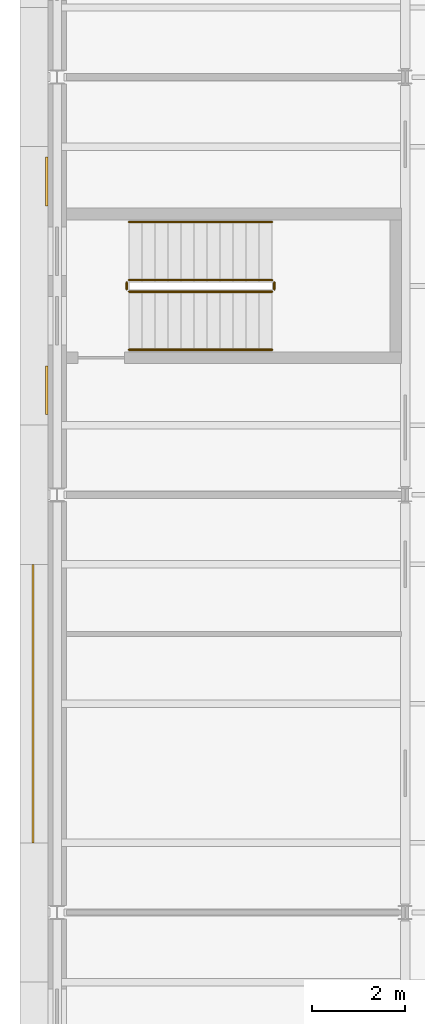
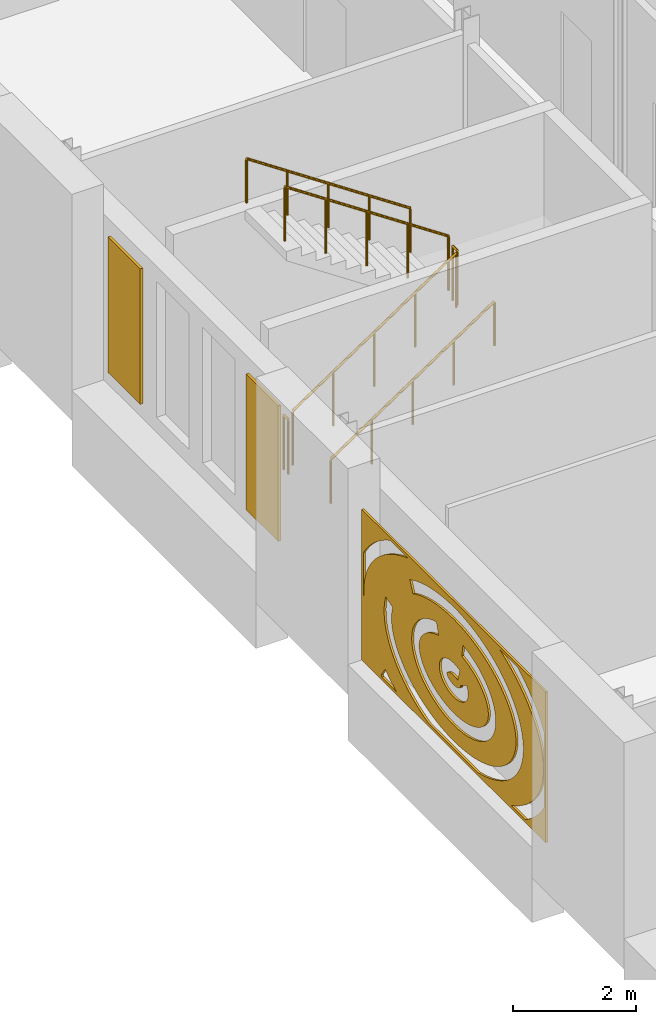
# One storey, part 110 of 131: 6 railings, 3 coverings.
"""IFC4 building model written with IfcOpenShell, lengths in metres."""

from ifc_helpers import new_model, si_unit, direction, frame, origin, origin_2d, place, context, subcontext, project, spatial, polyline, circle, outline, extrude, material, layer, layer_set, type_object, element, save


model = new_model("IFC4")

# Units and contexts
model_context = context("Model", 3, precision=1e-05, world=origin(), true_north=direction((0.0, 1.0)))
body_context = subcontext(model_context, "Body", "Model", "MODEL_VIEW")
ifc_project = project(units=[si_unit("LENGTHUNIT", "METRE"), si_unit("AREAUNIT", "SQUARE_METRE"), si_unit("VOLUMEUNIT", "CUBIC_METRE"), si_unit("PLANEANGLEUNIT", "RADIAN"), si_unit("MASSUNIT", "GRAM", prefix="KILO")], contexts=[model_context])

# Site, building, storey
site_placement = place(None, origin())
site = spatial("IfcSite", under=ifc_project, at=site_placement, CompositionType="ELEMENT")
building_placement = place(site_placement, origin())
building = spatial("IfcBuilding", under=site, at=building_placement, Name="Golden Quay Civic Hall", CompositionType="ELEMENT")
storey_placement = place(building_placement, frame((0.0, 0.0, 9.89990234375)))
storey = spatial("IfcBuildingStorey", under=building, at=storey_placement, Name="L02", CompositionType="ELEMENT", Elevation=9.89990234375)

# Covering
ifc_material_1 = material(Name="Aluminium, golden anodised, perforated", Category="aluminium")
ifc_layer_1 = layer(ifc_material_1, 0.0400390625)
ifc_layer_set_1 = layer_set([ifc_layer_1], Name="Perforated screen panel 6000 x 3000 x 40")
covering_type_1 = type_object("IfcCoveringType", Name="Perforated screen panel 6000 x 3000 x 40", PredefinedType="CLADDING", material=ifc_layer_set_1)
covering_1_placement = place(storey_placement, frame((-0.5, 22.5, 2.10009765625), z_axis=(-1.0, 0.0, 0.0), x_axis=(0.0, -1.0, 0.0)))
element("IfcCovering", 1, at=covering_1_placement, inside=storey, type_object=covering_type_1, Name="Perforated screen panel 6000 x 3000 x 40 L02 1", PredefinedType="CLADDING", context=body_context, shape_type="SweptSolid", body=[
    extrude(outline(polyline([(-3.0, -1.5), (3.0, -1.5), (3.0, 1.5), (-3.0, 1.5), (-3.0, -1.5)]), holes=[polyline([(0.0810546875, 0.0087890625), (0.03125, 0.015380859375), (-0.02001953125, 0.01611328125), (-0.070556640625, 0.0107421875), (-0.1171875, 0.0), (-0.157470703125, -0.014892578125), (-0.201904296875, -0.04150390625), (-0.223876953125, -0.065185546875), (-0.228515625, -0.07470703125), (-0.228271484375, -0.085205078125), (-0.211181640625, -0.10986328125), (-0.17431640625, -0.13671875), (-0.1376953125, -0.1533203125), (-0.093994140625, -0.166259765625), (-0.044921875, -0.17431640625), (0.006103515625, -0.176513671875), (0.05712890625, -0.1728515625), (0.10498046875, -0.16357421875), (0.1474609375, -0.1494140625), (0.1953125, -0.123291015625), (0.215087890625, -0.10595703125), (0.227783203125, -0.087158203125), (0.227783203125, -0.072998046875), (0.2177734375, -0.055908203125), (0.421630859375, 0.072509765625), (0.449951171875, 0.020263671875), (0.4619140625, -0.015380859375), (0.46875, -0.052978515625), (0.469970703125, -0.09130859375), (0.46533203125, -0.12939453125), (0.455322265625, -0.16650390625), (0.440185546875, -0.20166015625), (0.412109375, -0.24560546875), (0.370849609375, -0.29052734375), (0.3330078125, -0.321044921875), (0.277587890625, -0.3544921875), (0.206787109375, -0.38427734375), (0.162109375, -0.397705078125), (0.085205078125, -0.412109375), (0.006103515625, -0.41748046875), (-0.0732421875, -0.41357421875), (-0.151123046875, -0.400146484375), (-0.2177734375, -0.380615234375), (-0.28662109375, -0.349853515625), (-0.326904296875, -0.3251953125), (-0.3759765625, -0.285888671875), (-0.40966796875, -0.248779296875), (-0.441650390625, -0.198486328125), (-0.461181640625, -0.147705078125), (-0.47021484375, -0.089599609375), (-0.466064453125, -0.033447265625), (-0.448974609375, 0.02294921875), (-0.431640625, 0.056884765625), (-0.41015625, 0.088134765625), (-0.37646484375, 0.125244140625), (-0.319091796875, 0.17041015625), (-0.253662109375, 0.2060546875), (-0.18212890625, 0.232177734375), (-0.144775390625, 0.24169921875), (-0.07421875, 0.25341796875), (0.01220703125, 0.25732421875), (0.084228515625, 0.252197265625), (0.123046875, 0.24609375), (0.1982421875, 0.227294921875), (0.13037109375, -0.00390625), (0.0810546875, 0.0087890625)]), polyline([(-0.6474609375, 0.453369140625), (-0.7177734375, 0.421875), (-0.783447265625, 0.387451171875), (-0.84423828125, 0.350341796875), (-0.8994140625, 0.31103515625), (-0.948974609375, 0.27001953125), (-0.992431640625, 0.227294921875), (-1.02978515625, 0.18359375), (-1.061279296875, 0.139404296875), (-1.08642578125, 0.0947265625), (-1.105712890625, 0.050048828125), (-1.119140625, 0.005615234375), (-1.126953125, -0.03857421875), (-1.12939453125, -0.082763671875), (-1.126220703125, -0.126953125), (-1.117919921875, -0.171142578125), (-1.103515625, -0.215576171875), (-1.083740234375, -0.26025390625), (-1.0576171875, -0.3046875), (-1.025634765625, -0.34912109375), (-0.9873046875, -0.392578125), (-0.943115234375, -0.43505859375), (-0.892822265625, -0.47607421875), (-0.8369140625, -0.51513671875), (-0.775634765625, -0.5517578125), (-0.709228515625, -0.5859375), (-0.638427734375, -0.6171875), (-0.5634765625, -0.64501953125), (-0.48486328125, -0.66943359375), (-0.403076171875, -0.690185546875), (-0.318603515625, -0.707275390625), (-0.232177734375, -0.72021484375), (-0.144287109375, -0.72900390625), (-0.055419921875, -0.733642578125), (0.03369140625, -0.734130859375), (0.122802734375, -0.73046875), (0.2109375, -0.72265625), (0.2978515625, -0.710693359375), (0.3828125, -0.694580078125), (0.46533203125, -0.6748046875), (0.544677734375, -0.6513671875), (0.62060546875, -0.624267578125), (0.692626953125, -0.59375), (0.760009765625, -0.560302734375), (0.822509765625, -0.524169921875), (0.8798828125, -0.485595703125), (0.931396484375, -0.4453125), (0.977294921875, -0.403076171875), (1.016845703125, -0.359619140625), (1.050537109375, -0.315673828125), (1.077880859375, -0.27099609375), (1.099365234375, -0.226318359375), (1.114990234375, -0.181884765625), (1.124755859375, -0.1376953125), (1.129150390625, -0.093505859375), (1.1279296875, -0.04931640625), (1.12158203125, -0.005126953125), (1.109619140625, 0.039306640625), (1.091796875, 0.083984375), (1.06787109375, 0.12841796875), (1.0380859375, 0.1728515625), (1.002197265625, 0.216796875), (0.9599609375, 0.259765625), (0.911865234375, 0.30126953125), (0.858154296875, 0.341064453125), (0.798583984375, 0.378662109375), (0.734130859375, 0.413818359375), (0.6650390625, 0.446044921875), (0.59130859375, 0.47509765625), (0.513916015625, 0.5009765625), (0.433349609375, 0.523193359375), (0.349853515625, 0.54150390625), (0.26123046875, 0.556396484375), (0.30126953125, 0.7939453125), (0.392822265625, 0.778564453125), (0.488037109375, 0.7578125), (0.587158203125, 0.73046875), (0.670654296875, 0.70263671875), (0.757080078125, 0.668701171875), (0.83935546875, 0.630615234375), (0.92431640625, 0.584228515625), (0.997802734375, 0.537353515625), (1.05859375, 0.4921875), (1.121337890625, 0.438720703125), (1.177734375, 0.381591796875), (1.23486328125, 0.31201171875), (1.277587890625, 0.2470703125), (1.307373046875, 0.19140625), (1.335693359375, 0.122314453125), (1.35595703125, 0.051025390625), (1.36865234375, -0.0361328125), (1.369384765625, -0.109619140625), (1.361328125, -0.182861328125), (1.344482421875, -0.254638671875), (1.32470703125, -0.31201171875), (1.286376953125, -0.39208984375), (1.245849609375, -0.456787109375), (1.205322265625, -0.510009765625), (1.14404296875, -0.576904296875), (1.083984375, -0.6318359375), (1.025146484375, -0.677978515625), (0.946533203125, -0.730712890625), (0.870361328125, -0.7744140625), (0.79638671875, -0.811279296875), (0.704833984375, -0.849853515625), (0.616455078125, -0.88134765625), (0.524658203125, -0.908203125), (0.430419921875, -0.930908203125), (0.339599609375, -0.947998046875), (0.2353515625, -0.96240234375), (0.135498046875, -0.97119140625), (0.035400390625, -0.97509765625), (-0.0595703125, -0.974609375), (-0.159912109375, -0.969482421875), (-0.264892578125, -0.958740234375), (-0.357421875, -0.945068359375), (-0.453369140625, -0.92578125), (-0.55322265625, -0.900390625), (-0.63818359375, -0.8740234375), (-0.725830078125, -0.841796875), (-0.809814453125, -0.804931640625), (-0.889404296875, -0.764404296875), (-0.96435546875, -0.719482421875), (-1.034423828125, -0.6708984375), (-1.09912109375, -0.618896484375), (-1.15771484375, -0.56298828125), (-1.21728515625, -0.4951171875), (-1.2626953125, -0.431396484375), (-1.30078125, -0.364501953125), (-1.326416015625, -0.307861328125), (-1.349609375, -0.2373046875), (-1.3662109375, -0.150634765625), (-1.3701171875, -0.091796875), (-1.3671875, -0.018310546875), (-1.351806640625, 0.068603515625), (-1.32958984375, 0.13916015625), (-1.29931640625, 0.20751953125), (-1.261474609375, 0.2734375), (-1.223388671875, 0.327392578125), (-1.171875, 0.38818359375), (-1.114013671875, 0.445556640625), (-1.042724609375, 0.504638671875), (-0.973388671875, 0.5537109375), (-0.89892578125, 0.598876953125), (-0.81982421875, 0.64013671875), (-0.736328125, 0.67724609375), (-0.649169921875, 0.710205078125), (-0.564697265625, 0.7373046875), (-0.49169921875, 0.507568359375), (-0.572998046875, 0.481689453125), (-0.6474609375, 0.453369140625)]), polyline([(-2.023193359375, 0.012939453125), (-2.029052734375, -0.059814453125), (-2.02734375, -0.13232421875), (-2.018310546875, -0.205078125), (-2.001708984375, -0.277587890625), (-1.977294921875, -0.349853515625), (-1.9453125, -0.421875), (-1.905517578125, -0.492919921875), (-1.85791015625, -0.563232421875), (-1.802734375, -0.632080078125), (-1.739990234375, -0.69921875), (-1.669921875, -0.764404296875), (-1.592529296875, -0.8271484375), (-1.50830078125, -0.886962890625), (-1.417724609375, -0.94384765625), (-1.32080078125, -0.997314453125), (-1.218017578125, -1.046875), (-1.110107421875, -1.092529296875), (-0.997314453125, -1.1337890625), (-0.88037109375, -1.1708984375), (-0.759521484375, -1.203125), (-0.635009765625, -1.230712890625), (-0.508056640625, -1.25341796875), (-0.37890625, -1.27099609375), (-0.248046875, -1.283203125), (-0.115966796875, -1.29052734375), (0.0166015625, -1.29248046875), (0.14892578125, -1.289306640625), (0.280517578125, -1.28076171875), (0.4111328125, -1.26708984375), (0.539794921875, -1.248291015625), (0.666259765625, -1.224365234375), (0.789794921875, -1.195556640625), (0.909912109375, -1.162109375), (1.02587890625, -1.1240234375), (1.137451171875, -1.08154296875), (1.244140625, -1.034912109375), (1.345458984375, -0.984130859375), (1.44091796875, -0.929931640625), (1.52978515625, -0.872314453125), (1.6123046875, -0.811767578125), (1.68798828125, -0.748291015625), (1.75634765625, -0.6826171875), (1.817138671875, -0.614990234375), (1.87060546875, -0.5458984375), (1.916015625, -0.475341796875), (1.953857421875, -0.404052734375), (1.98388671875, -0.33203125), (2.00634765625, -0.259521484375), (2.021240234375, -0.18701171875), (2.028564453125, -0.1142578125), (2.0283203125, -0.04150390625), (2.0205078125, 0.031005859375), (2.00537109375, 0.103759765625), (1.982421875, 0.176025390625), (1.951904296875, 0.248046875), (1.913818359375, 0.3193359375), (1.86767578125, 0.389892578125), (1.81396484375, 0.458984375), (1.752685546875, 0.5263671875), (1.683837890625, 0.592041015625), (1.60791015625, 0.6552734375), (1.525146484375, 0.7158203125), (1.435546875, 0.773193359375), (1.33984375, 0.8271484375), (1.23828125, 0.87744140625), (1.13134765625, 0.924072265625), (1.01953125, 0.96630859375), (0.9033203125, 1.004150390625), (0.782958984375, 1.037353515625), (0.6591796875, 1.06591796875), (0.53271484375, 1.08935546875), (0.40380859375, 1.10791015625), (0.273193359375, 1.121337890625), (0.1416015625, 1.12939453125), (0.009033203125, 1.132568359375), (-0.123291015625, 1.130126953125), (-0.25537109375, 1.122802734375), (-0.385986328125, 1.110107421875), (-0.515380859375, 1.09228515625), (-0.64208984375, 1.0693359375), (-0.76611328125, 1.04150390625), (-0.886962890625, 1.0087890625), (-1.00390625, 0.9716796875), (-1.116455078125, 0.929931640625), (-1.22412109375, 0.884033203125), (-1.3291015625, 0.8330078125), (-1.434814453125, 1.04931640625), (-1.3212890625, 1.1044921875), (-1.208251953125, 1.15283203125), (-1.07958984375, 1.200439453125), (-0.952392578125, 1.24072265625), (-0.821533203125, 1.27587890625), (-0.6923828125, 1.304931640625), (-0.55078125, 1.33056640625), (-0.411865234375, 1.349609375), (-0.276123046875, 1.36279296875), (-0.1298828125, 1.37109375), (0.00732421875, 1.373291015625), (0.1494140625, 1.370361328125), (0.290771484375, 1.361572265625), (0.430908203125, 1.347412109375), (0.574462890625, 1.32666015625), (0.705810546875, 1.30224609375), (0.839599609375, 1.271484375), (0.97509765625, 1.23388671875), (1.0966796875, 1.194580078125), (1.21923828125, 1.148193359375), (1.3427734375, 1.0947265625), (1.449951171875, 1.04150390625), (1.556884765625, 0.981201171875), (1.664306640625, 0.912353515625), (1.753173828125, 0.847412109375), (1.841064453125, 0.774658203125), (1.927978515625, 0.691650390625), (1.99560546875, 0.617431640625), (2.06103515625, 0.53369140625), (2.12353515625, 0.437744140625), (2.1669921875, 0.357177734375), (2.20654296875, 0.264892578125), (2.239990234375, 0.158935546875), (2.257568359375, 0.07470703125), (2.2685546875, -0.0224609375), (2.26953125, -0.119873046875), (2.258544921875, -0.229248046875), (2.23828125, -0.3251953125), (2.20849609375, -0.419677734375), (2.169189453125, -0.511962890625), (2.12109375, -0.601806640625), (2.064453125, -0.68896484375), (1.999267578125, -0.772705078125), (1.926513671875, -0.853515625), (1.845947265625, -0.930419921875), (1.75830078125, -1.003662109375), (1.669677734375, -1.068603515625), (1.568603515625, -1.134033203125), (1.461669921875, -1.1953125), (1.34912109375, -1.251708984375), (1.2314453125, -1.303466796875), (1.10888671875, -1.35009765625), (0.982421875, -1.391845703125), (0.802490234375, -1.43994140625), (-0.80419921875, -1.43994140625), (-0.9501953125, -1.4013671875), (-1.072509765625, -1.36279296875), (-1.196044921875, -1.317626953125), (-1.3203125, -1.264892578125), (-1.4287109375, -1.212646484375), (-1.536865234375, -1.153076171875), (-1.645263671875, -1.085205078125), (-1.7353515625, -1.02099609375), (-1.82470703125, -0.948974609375), (-1.9130859375, -0.86669921875), (-1.98779296875, -0.786376953125), (-2.049072265625, -0.7099609375), (-2.10791015625, -0.623779296875), (-2.1630859375, -0.52490234375), (-2.19970703125, -0.44287109375), (-2.231689453125, -0.348876953125), (-2.25439453125, -0.253173828125), (-2.26806640625, -0.14404296875), (-2.269775390625, -0.046630859375), (-2.26123046875, 0.050537109375), (-2.242919921875, 0.146728515625), (-2.21875, 0.230712890625), (-1.9873046875, 0.163818359375), (-2.010009765625, 0.085693359375), (-2.023193359375, 0.012939453125)]), polyline([(-2.008056640625, -1.365478515625), (-1.868408203125, -1.43994140625), (-2.34033203125, -1.43994140625), (-2.369140625, -1.42041015625), (-2.234619140625, -1.220703125), (-2.123291015625, -1.2958984375), (-2.008056640625, -1.365478515625)]), polyline([(1.86865234375, -1.43994140625), (2.0029296875, -1.368408203125), (2.118408203125, -1.298828125), (2.227294921875, -1.225830078125), (2.3291015625, -1.1494140625), (2.423583984375, -1.06982421875), (2.510498046875, -0.98779296875), (2.589599609375, -0.9033203125), (2.660400390625, -0.816650390625), (2.723388671875, -0.728271484375), (2.77783203125, -0.63818359375), (2.823974609375, -0.54736328125), (2.86181640625, -0.455322265625), (2.89111328125, -0.36279296875), (2.912353515625, -0.269775390625), (2.925048828125, -0.176513671875), (2.929443359375, -0.0830078125), (2.925537109375, 0.010498046875), (2.913330078125, 0.10400390625), (2.892822265625, 0.197021484375), (2.864013671875, 0.28955078125), (2.82666015625, 0.381591796875), (2.781005859375, 0.47265625), (2.726806640625, 0.5625), (2.66455078125, 0.651123046875), (2.593994140625, 0.73779296875), (2.515625, 0.822509765625), (2.42919921875, 0.90478515625), (2.335205078125, 0.984619140625), (2.23388671875, 1.06103515625), (2.12548828125, 1.134521484375), (2.01025390625, 1.2041015625), (1.888671875, 1.27001953125), (1.760986328125, 1.331787109375), (1.6279296875, 1.389404296875), (1.495849609375, 1.43994140625), (2.080810546875, 1.43994140625), (2.252685546875, 1.339111328125), (2.371337890625, 1.2587890625), (2.483154296875, 1.1748046875), (2.587646484375, 1.08642578125), (2.6845703125, 0.994384765625), (2.778564453125, 0.892822265625), (2.859130859375, 0.793212890625), (2.93994140625, 0.67578125), (2.93994140625, -0.83544921875), (2.849365234375, -0.966064453125), (2.76806640625, -1.064697265625), (2.683837890625, -1.155029296875), (2.586669921875, -1.247314453125), (2.481689453125, -1.3359375), (2.34033203125, -1.43994140625), (1.86865234375, -1.43994140625)]), polyline([(-1.616943359375, 1.393798828125), (-1.75048828125, 1.336669921875), (-1.878662109375, 1.275146484375), (-2.00048828125, 1.209716796875), (-2.1162109375, 1.14013671875), (-2.225341796875, 1.067138671875), (-2.327392578125, 0.99072265625), (-2.421875, 0.911376953125), (-2.5087890625, 0.829345703125), (-2.588134765625, 0.744873046875), (-2.6591796875, 0.658203125), (-2.72216796875, 0.56982421875), (-2.77685546875, 0.47998046875), (-2.8232421875, 0.388916015625), (-2.861083984375, 0.297119140625), (-2.890625, 0.20458984375), (-2.912109375, 0.111328125), (-2.9248046875, 0.01806640625), (-2.929443359375, -0.075439453125), (-2.925537109375, -0.17431640625), (-2.93994140625, -0.1748046875), (-2.93994140625, 0.67529296875), (-2.85302734375, 0.801513671875), (-2.771728515625, 0.90087890625), (-2.677001953125, 1.001953125), (-2.579345703125, 1.09375), (-2.474365234375, 1.181640625), (-2.362060546875, 1.265380859375), (-2.247802734375, 1.342041015625), (-2.080810546875, 1.43994140625), (-1.4951171875, 1.43994140625), (-1.616943359375, 1.393798828125)])]), origin(), (0.0, 0.0, 1.0), 0.0400390625),
])

# Railings
ifc_material_2 = material(Name="Steel S355", Category="steel")
railing_type_1 = type_object("IfcRailingType", Name="Steel guard 1100", PredefinedType="GUARDRAIL", material=ifc_material_2)
railing_1_placement = place(storey_placement, frame((1.550048828125, 31.375, 0.1875)))
element("IfcRailing", 2, at=railing_1_placement, inside=storey, type_object=railing_type_1, Name="L02 WO-M stair guard 1", PredefinedType="GUARDRAIL", context=body_context, shape_type="SweptSolid", body=[
    extrude(circle(Radius=0.02392578125, at=origin_2d()), frame((0.0, 0.0, 1.076171875), z_axis=(0.830893310487, 0.0, 0.556431762742), x_axis=(0.0, 1.0, 0.0)), (0.0, 0.0, 1.0), 3.70654296875),
    extrude(circle(Radius=0.02099609375, at=origin_2d()), origin(), (0.0, 0.0, 1.0), 1.052001953125),
    extrude(circle(Radius=0.02099609375, at=origin_2d()), frame((0.77001953125, 0.0, 0.515625)), (0.0, 0.0, 1.0), 1.052001953125),
    extrude(circle(Radius=0.02099609375, at=origin_2d()), frame((1.5400390625, 0.0, 1.03125)), (0.0, 0.0, 1.0), 1.052001953125),
    extrude(circle(Radius=0.02099609375, at=origin_2d()), frame((2.309814453125, 0.0, 1.546875)), (0.0, 0.0, 1.0), 1.052001953125),
    extrude(circle(Radius=0.02099609375, at=origin_2d()), frame((3.079833984375, 0.0, 2.0625)), (0.0, 0.0, 1.0), 1.052001953125),
])
railing_2_placement = place(storey_placement, frame((4.679931640625, 31.425048828125, 2.25)))
element("IfcRailing", 3, at=railing_2_placement, inside=storey, type_object=railing_type_1, Name="L02 WO-M stair guard 2", PredefinedType="GUARDRAIL", context=body_context, shape_type="SweptSolid", body=[
    extrude(circle(Radius=0.02392578125, at=origin_2d()), frame((0.0, 0.0, 1.076171875), z_axis=(0.0, 1.0, 0.0), x_axis=(-1.0, 0.0, 0.0)), (0.0, 0.0, 1.0), 0.14990234375),
    extrude(circle(Radius=0.02099609375, at=origin_2d()), origin(), (0.0, 0.0, 1.0), 1.052001953125),
    extrude(circle(Radius=0.02099609375, at=origin_2d()), frame((0.0, 0.14990234375, 0.0)), (0.0, 0.0, 1.0), 1.052001953125),
])
railing_3_placement = place(storey_placement, frame((4.6298828125, 31.625, 2.4375)))
element("IfcRailing", 4, at=railing_3_placement, inside=storey, type_object=railing_type_1, Name="L02 WO-M stair guard 3", PredefinedType="GUARDRAIL", context=body_context, shape_type="SweptSolid", body=[
    extrude(circle(Radius=0.02392578125, at=origin_2d()), frame((0.0, 0.0, 1.076171875), z_axis=(-0.830893310487, 0.0, 0.556431762742), x_axis=(0.0, -1.0, 0.0)), (0.0, 0.0, 1.0), 3.70654296875),
    extrude(circle(Radius=0.02099609375, at=origin_2d()), origin(), (0.0, 0.0, 1.0), 1.052001953125),
    extrude(circle(Radius=0.02099609375, at=origin_2d()), frame((-0.77001953125, 0.0, 0.515625)), (0.0, 0.0, 1.0), 1.052001953125),
    extrude(circle(Radius=0.02099609375, at=origin_2d()), frame((-1.5400390625, 0.0, 1.03125)), (0.0, 0.0, 1.0), 1.052001953125),
    extrude(circle(Radius=0.02099609375, at=origin_2d()), frame((-2.309814453125, 0.0, 1.546875)), (0.0, 0.0, 1.0), 1.052001953125),
    extrude(circle(Radius=0.02099609375, at=origin_2d()), frame((-3.079833984375, 0.0, 2.0625)), (0.0, 0.0, 1.0), 1.052001953125),
])
railing_4_placement = place(storey_placement, frame((1.5, 31.425048828125, 0.0)))
element("IfcRailing", 5, at=railing_4_placement, inside=storey, type_object=railing_type_1, Name="L02 WO-M stair guard 4", PredefinedType="GUARDRAIL", context=body_context, shape_type="SweptSolid", body=[
    extrude(circle(Radius=0.02392578125, at=origin_2d()), frame((0.0, 0.0, 1.076171875), z_axis=(0.0, 1.0, 0.0), x_axis=(-1.0, 0.0, 0.0)), (0.0, 0.0, 1.0), 0.14990234375),
    extrude(circle(Radius=0.02099609375, at=origin_2d()), origin(), (0.0, 0.0, 1.0), 1.052001953125),
    extrude(circle(Radius=0.02099609375, at=origin_2d()), frame((0.0, 0.14990234375, 0.0)), (0.0, 0.0, 1.0), 1.052001953125),
])
ifc_material_3 = material(Name="Steel S355", Category="steel")
railing_type_2 = type_object("IfcRailingType", Name="Steel handrail 900", PredefinedType="HANDRAIL", material=ifc_material_3)
railing_5_placement = place(storey_placement, frame((1.550048828125, 30.125, 0.1875)))
element("IfcRailing", 6, at=railing_5_placement, inside=storey, type_object=railing_type_2, Name="L02 WO-M stair handrail 1", PredefinedType="HANDRAIL", context=body_context, shape_type="SweptSolid", body=[
    extrude(circle(Radius=0.02392578125, at=origin_2d()), frame((0.0, 0.0, 0.8759765625), z_axis=(0.830893310487, 0.0, 0.556431762742), x_axis=(0.0, 1.0, 0.0)), (0.0, 0.0, 1.0), 3.70654296875),
    extrude(circle(Radius=0.02099609375, at=origin_2d()), origin(), (0.0, 0.0, 1.0), 0.851806640625),
    extrude(circle(Radius=0.02099609375, at=origin_2d()), frame((0.77001953125, 0.0, 0.515625)), (0.0, 0.0, 1.0), 0.851806640625),
    extrude(circle(Radius=0.02099609375, at=origin_2d()), frame((1.5400390625, 0.0, 1.03125)), (0.0, 0.0, 1.0), 0.851806640625),
    extrude(circle(Radius=0.02099609375, at=origin_2d()), frame((2.309814453125, 0.0, 1.546875)), (0.0, 0.0, 1.0), 0.851806640625),
    extrude(circle(Radius=0.02099609375, at=origin_2d()), frame((3.079833984375, 0.0, 2.0625)), (0.0, 0.0, 1.0), 0.851806640625),
])
railing_6_placement = place(storey_placement, frame((4.6298828125, 32.875, 2.4375)))
element("IfcRailing", 7, at=railing_6_placement, inside=storey, type_object=railing_type_2, Name="L02 WO-M stair handrail 2", PredefinedType="HANDRAIL", context=body_context, shape_type="SweptSolid", body=[
    extrude(circle(Radius=0.02392578125, at=origin_2d()), frame((0.0, 0.0, 0.8759765625), z_axis=(-0.830893310487, 0.0, 0.556431762742), x_axis=(0.0, -1.0, 0.0)), (0.0, 0.0, 1.0), 3.70654296875),
    extrude(circle(Radius=0.02099609375, at=origin_2d()), origin(), (0.0, 0.0, 1.0), 0.851806640625),
    extrude(circle(Radius=0.02099609375, at=origin_2d()), frame((-0.77001953125, 0.0, 0.515625)), (0.0, 0.0, 1.0), 0.851806640625),
    extrude(circle(Radius=0.02099609375, at=origin_2d()), frame((-1.5400390625, 0.0, 1.03125)), (0.0, 0.0, 1.0), 0.851806640625),
    extrude(circle(Radius=0.02099609375, at=origin_2d()), frame((-2.309814453125, 0.0, 1.546875)), (0.0, 0.0, 1.0), 0.851806640625),
    extrude(circle(Radius=0.02099609375, at=origin_2d()), frame((-3.079833984375, 0.0, 2.0625)), (0.0, 0.0, 1.0), 0.851806640625),
])

# Coverings
ifc_material_4 = material(Name="Terracotta cladding, golden glaze", Category="masonry")
ifc_layer_2 = layer(ifc_material_4, 0.050048828125)
ifc_layer_set_2 = layer_set([ifc_layer_2], Name="Terracotta solid panel 1050 x 2700 x 50")
covering_type_2 = type_object("IfcCoveringType", Name="Terracotta solid panel 1050 x 2700 x 50", PredefinedType="CLADDING", material=ifc_layer_set_2)
covering_2_placement = place(storey_placement, frame((0.0, 0.0, 0.900146484375)))
element("IfcCovering", 8, at=covering_2_placement, inside=storey, type_object=covering_type_2, Name="Terracotta solid panel 1050 x 2700 x 50 L02 2", PredefinedType="CLADDING", context=body_context, shape_type="SweptSolid", body=[
    extrude(outline(polyline([(-0.199951171875, 28.72509765625), (-0.199951171875, 29.77490234375), (-0.25, 29.77490234375), (-0.25, 28.72509765625), (-0.199951171875, 28.72509765625)])), origin(), (0.0, 0.0, 1.0), 2.699951171875),
])
covering_3_placement = place(storey_placement, frame((0.0, 0.0, 0.900146484375)))
element("IfcCovering", 9, at=covering_3_placement, inside=storey, type_object=covering_type_2, Name="Terracotta solid panel 1050 x 2700 x 50 L02 3", PredefinedType="CLADDING", context=body_context, shape_type="SweptSolid", body=[
    extrude(outline(polyline([(-0.199951171875, 33.22509765625), (-0.199951171875, 34.27490234375), (-0.25, 34.27490234375), (-0.25, 33.22509765625), (-0.199951171875, 33.22509765625)])), origin(), (0.0, 0.0, 1.0), 2.699951171875),
])

save(model, "model.ifc")
